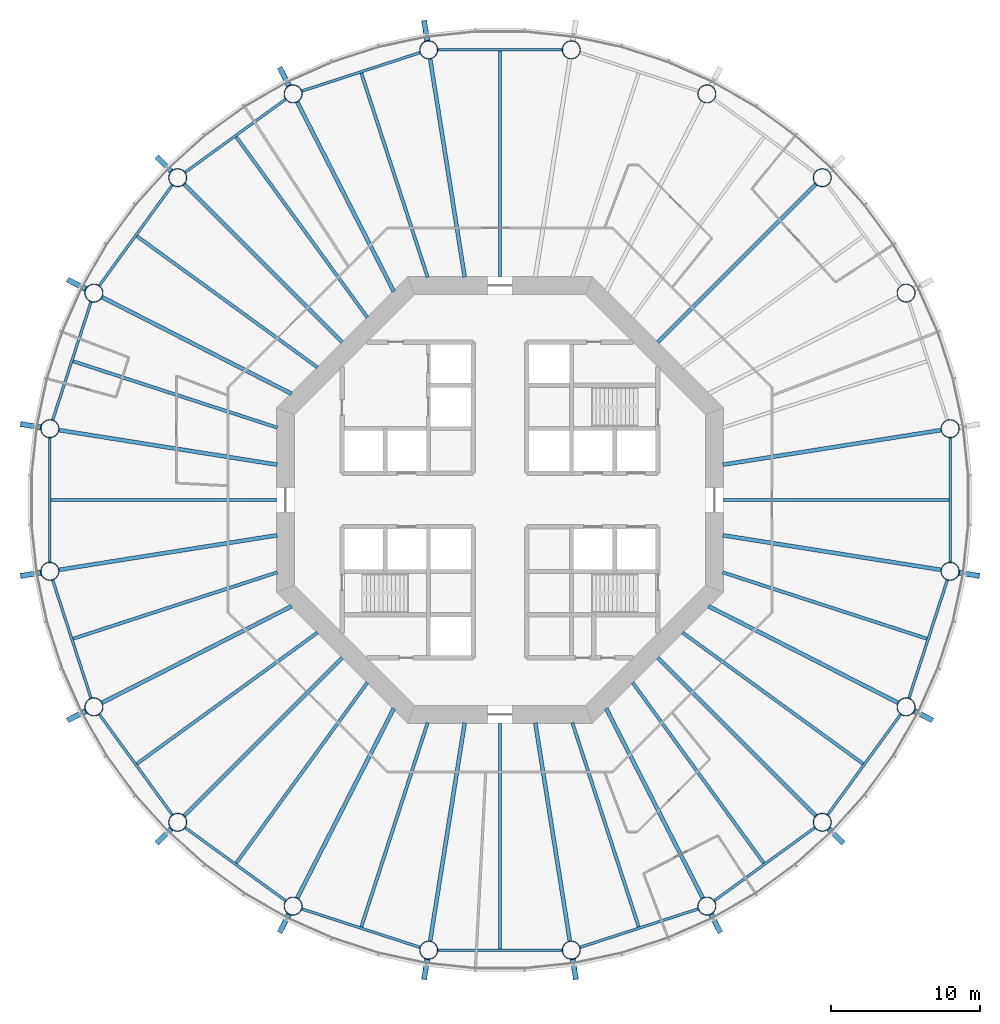
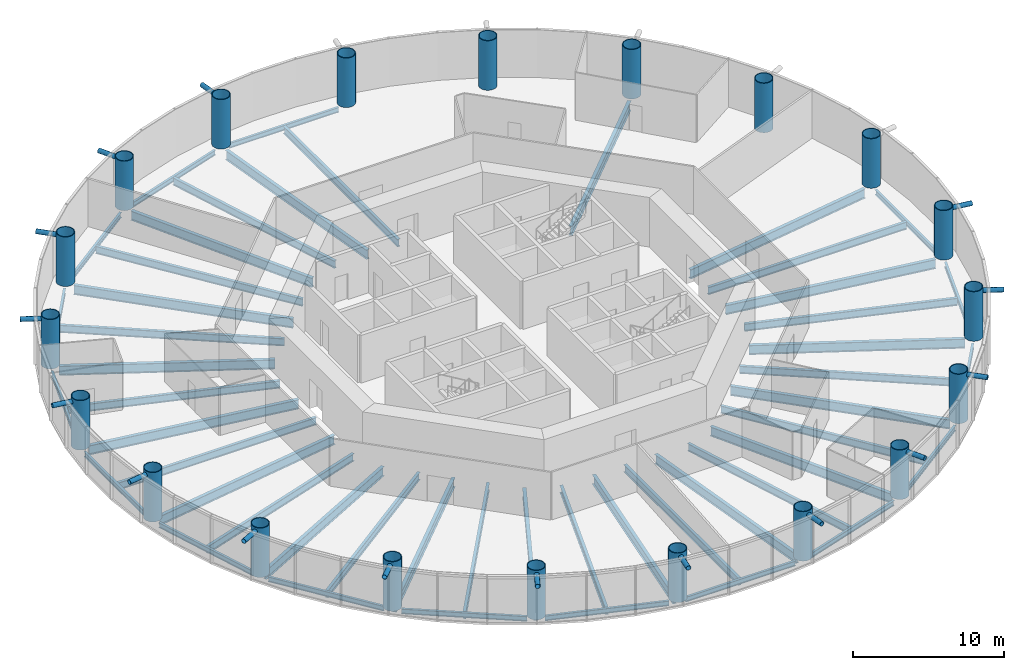
# One storey, part 1 of 12: 49 beams, 20 columns, 15 members.
"""IFC4 building model written with IfcOpenShell, lengths in metres."""

from ifc_helpers import new_model, si_unit, direction, frame, origin, origin_2d, place, context, subcontext, project, spatial, circle, hollow_circle, i_section, extrude, material, material_profile, profile_set, type_object, element, save


model = new_model("IFC4")

# Units and contexts
model_context = context("Model", 3, precision=1e-05, world=origin(), true_north=direction((0.0, 1.0)))
body_context = subcontext(model_context, "Body", "Model", "MODEL_VIEW")
ifc_project = project(units=[si_unit("LENGTHUNIT", "METRE"), si_unit("AREAUNIT", "SQUARE_METRE"), si_unit("VOLUMEUNIT", "CUBIC_METRE"), si_unit("PLANEANGLEUNIT", "RADIAN"), si_unit("MASSUNIT", "GRAM", prefix="KILO")], contexts=[model_context])

# Site, building, storey
site_placement = place(None, origin())
site = spatial("IfcSite", under=ifc_project, at=site_placement, CompositionType="ELEMENT")
building_placement = place(site_placement, origin())
building = spatial("IfcBuilding", under=site, at=building_placement, Name="Entoto Ring Tower", CompositionType="ELEMENT")
storey_placement = place(building_placement, frame((0.0, 0.0, 128.0)))
storey = spatial("IfcBuildingStorey", under=building, at=storey_placement, Name="L29", CompositionType="ELEMENT", Elevation=128.0)

# Columns
ifc_material_1 = material(Name="Steel S355", Category="steel")
ifc_material_profile_1 = material_profile(ifc_material_1, hollow_circle(Radius=0.625, WallThickness=0.054931640625, at=origin_2d()), Name="CHS 1250 x 55")
ifc_material_2 = material(Name="Concrete C60/75", Category="concrete")
ifc_material_profile_2 = material_profile(ifc_material_2, circle(Radius=0.570068359375, at=origin_2d()), Name="Concrete C60/75 infill")
ifc_profile_set_1 = profile_set([ifc_material_profile_1, ifc_material_profile_2], Name="Steel S355")
column_type = type_object("IfcColumnType", Name="Ring column 1250 x 55 concrete-filled tube", PredefinedType="COLUMN", material=ifc_profile_set_1)
for number, where, z_axis, x_axis, name in (
    (1, (120.22314453125, 84.786865234375, 0.0), (0.0, 0.0, 1.0), (1.0, 0.0, 0.0), "RC2 R01"),
    (2, (117.264892578125, 93.89208984375, 0.0), (0.0, 0.0, 1.0), (1.0, 0.0, 0.0), "RC2 R02"),
    (3, (111.637451171875, 101.637451171875, 0.0), (0.0, 0.0, 1.0), (1.0, 0.0, 0.0), "RC2 R03"),
    (4, (103.89208984375, 107.264892578125, 0.0), (0.0, 0.0, 1.0), (1.0, 0.0, 0.0), "RC2 R04"),
    (5, (94.786865234375, 110.22314453125, 0.0), (0.0, 0.0, 1.0), (1.0, 0.0, 0.0), "RC2 R05"),
    (6, (85.213134765625, 110.22314453125, 0.0), (0.0, 0.0, 1.0), (1.0, 0.0, 0.0), "RC2 R06"),
    (7, (76.10791015625, 107.264892578125, 0.0), (0.0, 0.0, 1.0), (1.0, 0.0, 0.0), "RC2 R07"),
    (8, (68.362548828125, 101.637451171875, 0.0), (0.0, 0.0, 1.0), (1.0, 0.0, 0.0), "RC2 R08"),
    (9, (62.735107421875, 93.89208984375, 0.0), (0.0, 0.0, 1.0), (1.0, 0.0, 0.0), "RC2 R09"),
    (10, (59.77685546875, 84.786865234375, 0.0), (0.0, 0.0, 1.0), (1.0, 0.0, 0.0), "RC2 R10"),
    (11, (59.77685546875, 75.213134765625, 0.0), (0.0, 0.0, 1.0), (1.0, 0.0, 0.0), "RC2 R11"),
    (12, (62.735107421875, 66.10791015625, 0.0), (0.0, 0.0, 1.0), (1.0, 0.0, 0.0), "RC2 R12"),
    (13, (68.362548828125, 58.362548828125, 0.0), (0.0, 0.0, 1.0), (1.0, 0.0, 0.0), "RC2 R13"),
    (14, (76.10791015625, 52.735107421875, 0.0), (0.0, 0.0, 1.0), (1.0, 0.0, 0.0), "RC2 R14"),
    (15, (85.213134765625, 49.77685546875, 0.0), (0.0, 0.0, 1.0), (1.0, 0.0, 0.0), "RC2 R15"),
    (16, (94.786865234375, 49.77685546875, 0.0), (0.0, 0.0, 1.0), (1.0, 0.0, 0.0), "RC2 R16"),
    (17, (103.89208984375, 52.735107421875, 0.0), (0.0, 0.0, 1.0), (1.0, 0.0, 0.0), "RC2 R17"),
    (18, (111.637451171875, 58.362548828125, 0.0), (0.0, 0.0, 1.0), (1.0, 0.0, 0.0), "RC2 R18"),
    (19, (117.264892578125, 66.10791015625, 0.0), (0.0, 0.0, 1.0), (1.0, 0.0, 0.0), "RC2 R19"),
    (20, (120.22314453125, 75.213134765625, 0.0), (0.0, 0.0, 1.0), (1.0, 0.0, 0.0), "RC2 R20"),
):
    element("IfcColumn", number, at=place(storey_placement, frame(where, z_axis=z_axis, x_axis=x_axis)), inside=storey, type_object=column_type, Name=name, PredefinedType="COLUMN", context=body_context, shape_type="SweptSolid", body=[
        extrude(hollow_circle(Radius=0.625, WallThickness=0.054931640625, at=origin_2d()), origin(), (0.0, 0.0, 1.0), 4.0),
    ])

# Members
ifc_material_3 = material(Name="Steel S355", Category="steel")
ifc_material_profile_3 = material_profile(ifc_material_3, hollow_circle(Radius=0.177734375, WallThickness=0.01611328125, at=origin_2d()), Name="CHS 355.6 x 16")
ifc_material_4 = material(Name="Concrete C60/75", Category="concrete")
ifc_material_profile_4 = material_profile(ifc_material_4, circle(Radius=0.161865234375, at=origin_2d()), Name="Concrete C60/75 infill")
ifc_profile_set_2 = profile_set([ifc_material_profile_3, ifc_material_profile_4], Name="Steel S355")
member_type = type_object("IfcMemberType", Name="Diagrid node strut 355.6 x 16", PredefinedType="STRUT", material=ifc_profile_set_2)
member_1_placement = place(storey_placement, frame((85.12255859375, 110.795166015625, 3.672119140625), z_axis=(-0.156509522646, 0.987676449715, 0.0), x_axis=(-0.987676449715, -0.156509522646, 0.0)))
element("IfcMember", 21, at=member_1_placement, inside=storey, type_object=member_type, Name="DS1 strut ring 8 06", PredefinedType="STRUT", context=body_context, shape_type="SweptSolid", body=[
    extrude(hollow_circle(Radius=0.177734375, WallThickness=0.01611328125, at=origin_2d()), origin(), (0.0, 0.0, 1.0), 1.421142578125),
])
member_2_placement = place(storey_placement, frame((75.844970703125, 107.78076171875, 3.672119140625), z_axis=(-0.45393607671, 0.891034252013, 0.0), x_axis=(-0.891034252013, -0.45393607671, 0.0)))
element("IfcMember", 22, at=member_2_placement, inside=storey, type_object=member_type, Name="DS1 strut ring 8 07", PredefinedType="STRUT", context=body_context, shape_type="SweptSolid", body=[
    extrude(hollow_circle(Radius=0.177734375, WallThickness=0.01611328125, at=origin_2d()), origin(), (0.0, 0.0, 1.0), 1.4208984375),
])
member_3_placement = place(storey_placement, frame((67.953125, 102.046875, 3.672119140625), z_axis=(-0.707106781187, 0.707106781187, 0.0), x_axis=(-0.707106781187, -0.707106781187, 0.0)))
element("IfcMember", 23, at=member_3_placement, inside=storey, type_object=member_type, Name="DS1 strut ring 8 08", PredefinedType="STRUT", context=body_context, shape_type="SweptSolid", body=[
    extrude(hollow_circle(Radius=0.177734375, WallThickness=0.01611328125, at=origin_2d()), origin(), (0.0, 0.0, 1.0), 1.421142578125),
])
member_4_placement = place(storey_placement, frame((62.21923828125, 94.155029296875, 3.672119140625), z_axis=(-0.891034252013, 0.45393607671, 0.0), x_axis=(-0.45393607671, -0.891034252013, 0.0)))
element("IfcMember", 24, at=member_4_placement, inside=storey, type_object=member_type, Name="DS1 strut ring 8 09", PredefinedType="STRUT", context=body_context, shape_type="SweptSolid", body=[
    extrude(hollow_circle(Radius=0.177734375, WallThickness=0.01611328125, at=origin_2d()), origin(), (0.0, 0.0, 1.0), 1.4208984375),
])
for number, where, z_axis, x_axis, name in (
    (25, (59.204833984375, 84.87744140625, 3.672119140625), (-0.987676449715, 0.156509522646, 0.0), (-0.156509522646, -0.987676449715, 0.0), "DS1 strut ring 8 10"),
    (26, (59.204833984375, 75.12255859375, 3.672119140625), (-0.987676449715, -0.156509522646, 0.0), (0.156509522646, -0.987676449715, 0.0), "DS1 strut ring 8 11"),
):
    element("IfcMember", number, at=place(storey_placement, frame(where, z_axis=z_axis, x_axis=x_axis)), inside=storey, type_object=member_type, Name=name, PredefinedType="STRUT", context=body_context, shape_type="SweptSolid", body=[
        extrude(hollow_circle(Radius=0.177734375, WallThickness=0.01611328125, at=origin_2d()), origin(), (0.0, 0.0, 1.0), 1.421142578125),
    ])
member_5_placement = place(storey_placement, frame((62.21923828125, 65.844970703125, 3.672119140625), z_axis=(-0.891034252013, -0.45393607671, 0.0), x_axis=(0.45393607671, -0.891034252013, 0.0)))
element("IfcMember", 27, at=member_5_placement, inside=storey, type_object=member_type, Name="DS1 strut ring 8 12", PredefinedType="STRUT", context=body_context, shape_type="SweptSolid", body=[
    extrude(hollow_circle(Radius=0.177734375, WallThickness=0.01611328125, at=origin_2d()), origin(), (0.0, 0.0, 1.0), 1.4208984375),
])
member_6_placement = place(storey_placement, frame((67.953125, 57.953125, 3.672119140625), z_axis=(-0.707106781187, -0.707106781187, 0.0), x_axis=(0.707106781187, -0.707106781187, 0.0)))
element("IfcMember", 28, at=member_6_placement, inside=storey, type_object=member_type, Name="DS1 strut ring 8 13", PredefinedType="STRUT", context=body_context, shape_type="SweptSolid", body=[
    extrude(hollow_circle(Radius=0.177734375, WallThickness=0.01611328125, at=origin_2d()), origin(), (0.0, 0.0, 1.0), 1.421142578125),
])
member_7_placement = place(storey_placement, frame((75.844970703125, 52.21923828125, 3.672119140625), z_axis=(-0.45393607671, -0.891034252013, 0.0), x_axis=(0.891034252013, -0.45393607671, 0.0)))
element("IfcMember", 29, at=member_7_placement, inside=storey, type_object=member_type, Name="DS1 strut ring 8 14", PredefinedType="STRUT", context=body_context, shape_type="SweptSolid", body=[
    extrude(hollow_circle(Radius=0.177734375, WallThickness=0.01611328125, at=origin_2d()), origin(), (0.0, 0.0, 1.0), 1.4208984375),
])
for number, where, z_axis, x_axis, name in (
    (30, (85.12255859375, 49.204833984375, 3.672119140625), (-0.156509522646, -0.987676449715, 0.0), (0.987676449715, -0.156509522646, 0.0), "DS1 strut ring 8 15"),
    (31, (94.87744140625, 49.204833984375, 3.672119140625), (0.156509522646, -0.987676449715, 0.0), (0.987676449715, 0.156509522646, 0.0), "DS1 strut ring 8 16"),
):
    element("IfcMember", number, at=place(storey_placement, frame(where, z_axis=z_axis, x_axis=x_axis)), inside=storey, type_object=member_type, Name=name, PredefinedType="STRUT", context=body_context, shape_type="SweptSolid", body=[
        extrude(hollow_circle(Radius=0.177734375, WallThickness=0.01611328125, at=origin_2d()), origin(), (0.0, 0.0, 1.0), 1.421142578125),
    ])
member_8_placement = place(storey_placement, frame((104.155029296875, 52.21923828125, 3.672119140625), z_axis=(0.45393607671, -0.891034252013, 0.0), x_axis=(0.891034252013, 0.45393607671, 0.0)))
element("IfcMember", 32, at=member_8_placement, inside=storey, type_object=member_type, Name="DS1 strut ring 8 17", PredefinedType="STRUT", context=body_context, shape_type="SweptSolid", body=[
    extrude(hollow_circle(Radius=0.177734375, WallThickness=0.01611328125, at=origin_2d()), origin(), (0.0, 0.0, 1.0), 1.4208984375),
])
member_9_placement = place(storey_placement, frame((112.046875, 57.953125, 3.672119140625), z_axis=(0.707106781187, -0.707106781187, 0.0), x_axis=(0.707106781187, 0.707106781187, 0.0)))
element("IfcMember", 33, at=member_9_placement, inside=storey, type_object=member_type, Name="DS1 strut ring 8 18", PredefinedType="STRUT", context=body_context, shape_type="SweptSolid", body=[
    extrude(hollow_circle(Radius=0.177734375, WallThickness=0.01611328125, at=origin_2d()), origin(), (0.0, 0.0, 1.0), 1.421142578125),
])
member_10_placement = place(storey_placement, frame((117.78076171875, 65.844970703125, 3.672119140625), z_axis=(0.891034252013, -0.45393607671, 0.0), x_axis=(0.45393607671, 0.891034252013, 0.0)))
element("IfcMember", 34, at=member_10_placement, inside=storey, type_object=member_type, Name="DS1 strut ring 8 19", PredefinedType="STRUT", context=body_context, shape_type="SweptSolid", body=[
    extrude(hollow_circle(Radius=0.177734375, WallThickness=0.01611328125, at=origin_2d()), origin(), (0.0, 0.0, 1.0), 1.4208984375),
])
member_11_placement = place(storey_placement, frame((120.795166015625, 75.12255859375, 3.672119140625), z_axis=(0.987676449715, -0.156509522646, 0.0), x_axis=(0.156509522646, 0.987676449715, 0.0)))
element("IfcMember", 35, at=member_11_placement, inside=storey, type_object=member_type, Name="DS1 strut ring 8 20", PredefinedType="STRUT", context=body_context, shape_type="SweptSolid", body=[
    extrude(hollow_circle(Radius=0.177734375, WallThickness=0.01611328125, at=origin_2d()), origin(), (0.0, 0.0, 1.0), 1.421142578125),
])

# Beams
ifc_material_5 = material(Name="Steel S355", Category="steel")
ifc_material_profile_5 = material_profile(ifc_material_5, i_section(OverallWidth=0.179931640625, OverallDepth=0.39990234375, WebThickness=0.008544921875, FlangeThickness=0.013427734375, FilletRadius=0.02099609375, at=origin_2d()), Name="IPE 400")
ifc_profile_set_3 = profile_set([ifc_material_profile_5], Name="Steel S355")
beam_type_1 = type_object("IfcBeamType", Name="Edge beam IPE 400", PredefinedType="SPANDREL", material=ifc_profile_set_3)
for number, where, z_axis, x_axis, name in (
    (36, (94.1884765625, 110.22314453125, -0.35009765625), (-1.0, 0.0, 0.0), (0.0, -1.0, 0.0), "Edge beam L29 05"),
    (37, (84.64404296875, 110.038330078125, -0.35009765625), (-0.951057410904, -0.309014241039, 0.0), (0.309014241039, -0.951057410904, 0.0), "Edge beam L29 06"),
    (38, (75.623779296875, 106.9130859375, -0.35009765625), (-0.8090182976, -0.587783458554, 0.0), (0.587783458554, -0.8090182976, 0.0), "Edge beam L29 07"),
    (39, (68.0107421875, 101.1533203125, -0.35009765625), (-0.587783458554, -0.8090182976, 0.0), (0.8090182976, -0.587783458554, 0.0), "Edge beam L29 08"),
    (40, (62.55029296875, 93.322998046875, -0.35009765625), (-0.309014241039, -0.951057410904, 0.0), (0.951057410904, -0.309014241039, 0.0), "Edge beam L29 09"),
    (41, (59.77685546875, 84.1884765625, -0.35009765625), (0.0, -1.0, 0.0), (1.0, 0.0, 0.0), "Edge beam L29 10"),
    (42, (59.961669921875, 74.64404296875, -0.35009765625), (0.309014241039, -0.951057410904, 0.0), (0.951057410904, 0.309014241039, 0.0), "Edge beam L29 11"),
    (43, (63.0869140625, 65.623779296875, -0.35009765625), (0.587783458554, -0.8090182976, 0.0), (0.8090182976, 0.587783458554, 0.0), "Edge beam L29 12"),
    (44, (68.8466796875, 58.0107421875, -0.35009765625), (0.8090182976, -0.587783458554, 0.0), (0.587783458554, 0.8090182976, 0.0), "Edge beam L29 13"),
    (45, (76.677001953125, 52.55029296875, -0.35009765625), (0.951057410904, -0.309014241039, 0.0), (0.309014241039, 0.951057410904, 0.0), "Edge beam L29 14"),
    (46, (85.8115234375, 49.77685546875, -0.35009765625), (1.0, 0.0, 0.0), (0.0, 1.0, 0.0), "Edge beam L29 15"),
    (47, (95.35595703125, 49.961669921875, -0.35009765625), (0.951057410904, 0.309014241039, 0.0), (-0.309014241039, 0.951057410904, 0.0), "Edge beam L29 16"),
    (48, (104.376220703125, 53.0869140625, -0.35009765625), (0.8090182976, 0.587783458554, 0.0), (-0.587783458554, 0.8090182976, 0.0), "Edge beam L29 17"),
    (49, (111.9892578125, 58.8466796875, -0.35009765625), (0.587783458554, 0.8090182976, 0.0), (-0.8090182976, 0.587783458554, 0.0), "Edge beam L29 18"),
    (50, (117.44970703125, 66.677001953125, -0.35009765625), (0.309014241039, 0.951057410904, 0.0), (-0.951057410904, 0.309014241039, 0.0), "Edge beam L29 19"),
    (51, (120.22314453125, 75.8115234375, -0.35009765625), (0.0, 1.0, 0.0), (-1.0, 0.0, 0.0), "Edge beam L29 20"),
):
    element("IfcBeam", number, at=place(storey_placement, frame(where, z_axis=z_axis, x_axis=x_axis)), inside=storey, type_object=beam_type_1, Name=name, PredefinedType="SPANDREL", context=body_context, shape_type="SweptSolid", body=[
        extrude(i_section(OverallWidth=0.179931640625, OverallDepth=0.39990234375, WebThickness=0.008544921875, FlangeThickness=0.013427734375, FilletRadius=0.02099609375, at=origin_2d()), origin(), (0.0, 0.0, 1.0), 8.376953125),
    ])
ifc_material_6 = material(Name="Steel S355", Category="steel")
ifc_material_profile_6 = material_profile(ifc_material_6, i_section(OverallWidth=0.262939453125, OverallDepth=0.7529296875, WebThickness=0.011474609375, FlangeThickness=0.01708984375, FilletRadius=0.01708984375, at=origin_2d()), Name="IPE 750 x 137")
ifc_profile_set_4 = profile_set([ifc_material_profile_6], Name="Steel S355")
beam_type_2 = type_object("IfcBeamType", Name="Primary floor beam IPE 750 x 137", PredefinedType="BEAM", material=ifc_profile_set_4)
beam_1_placement = place(storey_placement, frame((104.959716796875, 82.369384765625, -0.526611328125), z_axis=(0.98768960451, 0.156426484787, 0.0), x_axis=(-0.156426484787, 0.98768960451, 0.0)))
element("IfcBeam", 52, at=beam_1_placement, inside=storey, type_object=beam_type_2, Name="Primary L29 R01", PredefinedType="BEAM", context=body_context, shape_type="SweptSolid", body=[
    extrude(i_section(OverallWidth=0.262939453125, OverallDepth=0.7529296875, WebThickness=0.011474609375, FlangeThickness=0.01708984375, FilletRadius=0.01708984375, at=origin_2d()), origin(), (0.0, 0.0, 1.0), 14.86279296875),
])
beam_2_placement = place(storey_placement, frame((100.592529296875, 90.592529296875, -0.526611328125), z_axis=(0.707106781187, 0.707106781187, 0.0), x_axis=(-0.707106781187, 0.707106781187, 0.0)))
element("IfcBeam", 53, at=beam_2_placement, inside=storey, type_object=beam_type_2, Name="Primary L29 R03", PredefinedType="BEAM", context=body_context, shape_type="SweptSolid", body=[
    extrude(i_section(OverallWidth=0.262939453125, OverallDepth=0.7529296875, WebThickness=0.011474609375, FlangeThickness=0.01708984375, FilletRadius=0.01708984375, at=origin_2d()), origin(), (0.0, 0.0, 1.0), 15.029052734375),
])
beam_3_placement = place(storey_placement, frame((87.630615234375, 94.959716796875, -0.526611328125), z_axis=(-0.156426484787, 0.98768960451, 0.0), x_axis=(-0.98768960451, -0.156426484787, 0.0)))
element("IfcBeam", 54, at=beam_3_placement, inside=storey, type_object=beam_type_2, Name="Primary L29 R06", PredefinedType="BEAM", context=body_context, shape_type="SweptSolid", body=[
    extrude(i_section(OverallWidth=0.262939453125, OverallDepth=0.7529296875, WebThickness=0.011474609375, FlangeThickness=0.01708984375, FilletRadius=0.01708984375, at=origin_2d()), origin(), (0.0, 0.0, 1.0), 14.86279296875),
])
beam_4_placement = place(storey_placement, frame((82.8681640625, 93.9970703125, -0.526611328125), z_axis=(-0.453988952421, 0.891007312585, 0.0), x_axis=(-0.891007312585, -0.453988952421, 0.0)))
element("IfcBeam", 55, at=beam_4_placement, inside=storey, type_object=beam_type_2, Name="Primary L29 R07", PredefinedType="BEAM", context=body_context, shape_type="SweptSolid", body=[
    extrude(i_section(OverallWidth=0.262939453125, OverallDepth=0.7529296875, WebThickness=0.011474609375, FlangeThickness=0.01708984375, FilletRadius=0.01708984375, at=origin_2d()), origin(), (0.0, 0.0, 1.0), 14.2998046875),
])
beam_5_placement = place(storey_placement, frame((79.407470703125, 90.592529296875, -0.526611328125), z_axis=(-0.707106781187, 0.707106781187, 0.0), x_axis=(-0.707106781187, -0.707106781187, 0.0)))
element("IfcBeam", 56, at=beam_5_placement, inside=storey, type_object=beam_type_2, Name="Primary L29 R08", PredefinedType="BEAM", context=body_context, shape_type="SweptSolid", body=[
    extrude(i_section(OverallWidth=0.262939453125, OverallDepth=0.7529296875, WebThickness=0.011474609375, FlangeThickness=0.01708984375, FilletRadius=0.01708984375, at=origin_2d()), origin(), (0.0, 0.0, 1.0), 15.029052734375),
])
beam_6_placement = place(storey_placement, frame((76.0029296875, 87.1318359375, -0.526611328125), z_axis=(-0.891007312585, 0.453988952421, 0.0), x_axis=(-0.453988952421, -0.891007312585, 0.0)))
element("IfcBeam", 57, at=beam_6_placement, inside=storey, type_object=beam_type_2, Name="Primary L29 R09", PredefinedType="BEAM", context=body_context, shape_type="SweptSolid", body=[
    extrude(i_section(OverallWidth=0.262939453125, OverallDepth=0.7529296875, WebThickness=0.011474609375, FlangeThickness=0.01708984375, FilletRadius=0.01708984375, at=origin_2d()), origin(), (0.0, 0.0, 1.0), 14.2998046875),
])
for number, where, z_axis, x_axis, name in (
    (58, (75.040283203125, 82.369384765625, -0.526611328125), (-0.98768960451, 0.156426484787, 0.0), (-0.156426484787, -0.98768960451, 0.0), "Primary L29 R10"),
    (59, (75.040283203125, 77.630615234375, -0.526611328125), (-0.98768960451, -0.156426484787, 0.0), (0.156426484787, -0.98768960451, 0.0), "Primary L29 R11"),
):
    element("IfcBeam", number, at=place(storey_placement, frame(where, z_axis=z_axis, x_axis=x_axis)), inside=storey, type_object=beam_type_2, Name=name, PredefinedType="BEAM", context=body_context, shape_type="SweptSolid", body=[
        extrude(i_section(OverallWidth=0.262939453125, OverallDepth=0.7529296875, WebThickness=0.011474609375, FlangeThickness=0.01708984375, FilletRadius=0.01708984375, at=origin_2d()), origin(), (0.0, 0.0, 1.0), 14.86279296875),
    ])
beam_7_placement = place(storey_placement, frame((76.0029296875, 72.8681640625, -0.526611328125), z_axis=(-0.891007312585, -0.453988952421, 0.0), x_axis=(0.453988952421, -0.891007312585, 0.0)))
element("IfcBeam", 60, at=beam_7_placement, inside=storey, type_object=beam_type_2, Name="Primary L29 R12", PredefinedType="BEAM", context=body_context, shape_type="SweptSolid", body=[
    extrude(i_section(OverallWidth=0.262939453125, OverallDepth=0.7529296875, WebThickness=0.011474609375, FlangeThickness=0.01708984375, FilletRadius=0.01708984375, at=origin_2d()), origin(), (0.0, 0.0, 1.0), 14.2998046875),
])
beam_8_placement = place(storey_placement, frame((79.407470703125, 69.407470703125, -0.526611328125), z_axis=(-0.707106781187, -0.707106781187, 0.0), x_axis=(0.707106781187, -0.707106781187, 0.0)))
element("IfcBeam", 61, at=beam_8_placement, inside=storey, type_object=beam_type_2, Name="Primary L29 R13", PredefinedType="BEAM", context=body_context, shape_type="SweptSolid", body=[
    extrude(i_section(OverallWidth=0.262939453125, OverallDepth=0.7529296875, WebThickness=0.011474609375, FlangeThickness=0.01708984375, FilletRadius=0.01708984375, at=origin_2d()), origin(), (0.0, 0.0, 1.0), 15.029052734375),
])
beam_9_placement = place(storey_placement, frame((82.8681640625, 66.0029296875, -0.526611328125), z_axis=(-0.453988952421, -0.891007312585, 0.0), x_axis=(0.891007312585, -0.453988952421, 0.0)))
element("IfcBeam", 62, at=beam_9_placement, inside=storey, type_object=beam_type_2, Name="Primary L29 R14", PredefinedType="BEAM", context=body_context, shape_type="SweptSolid", body=[
    extrude(i_section(OverallWidth=0.262939453125, OverallDepth=0.7529296875, WebThickness=0.011474609375, FlangeThickness=0.01708984375, FilletRadius=0.01708984375, at=origin_2d()), origin(), (0.0, 0.0, 1.0), 14.2998046875),
])
for number, where, z_axis, x_axis, name in (
    (63, (87.630615234375, 65.040283203125, -0.526611328125), (-0.156426484787, -0.98768960451, 0.0), (0.98768960451, -0.156426484787, 0.0), "Primary L29 R15"),
    (64, (92.369384765625, 65.040283203125, -0.526611328125), (0.156426484787, -0.98768960451, 0.0), (0.98768960451, 0.156426484787, 0.0), "Primary L29 R16"),
):
    element("IfcBeam", number, at=place(storey_placement, frame(where, z_axis=z_axis, x_axis=x_axis)), inside=storey, type_object=beam_type_2, Name=name, PredefinedType="BEAM", context=body_context, shape_type="SweptSolid", body=[
        extrude(i_section(OverallWidth=0.262939453125, OverallDepth=0.7529296875, WebThickness=0.011474609375, FlangeThickness=0.01708984375, FilletRadius=0.01708984375, at=origin_2d()), origin(), (0.0, 0.0, 1.0), 14.86279296875),
    ])
beam_10_placement = place(storey_placement, frame((97.1318359375, 66.0029296875, -0.526611328125), z_axis=(0.453988952421, -0.891007312585, 0.0), x_axis=(0.891007312585, 0.453988952421, 0.0)))
element("IfcBeam", 65, at=beam_10_placement, inside=storey, type_object=beam_type_2, Name="Primary L29 R17", PredefinedType="BEAM", context=body_context, shape_type="SweptSolid", body=[
    extrude(i_section(OverallWidth=0.262939453125, OverallDepth=0.7529296875, WebThickness=0.011474609375, FlangeThickness=0.01708984375, FilletRadius=0.01708984375, at=origin_2d()), origin(), (0.0, 0.0, 1.0), 14.2998046875),
])
beam_11_placement = place(storey_placement, frame((100.592529296875, 69.407470703125, -0.526611328125), z_axis=(0.707106781187, -0.707106781187, 0.0), x_axis=(0.707106781187, 0.707106781187, 0.0)))
element("IfcBeam", 66, at=beam_11_placement, inside=storey, type_object=beam_type_2, Name="Primary L29 R18", PredefinedType="BEAM", context=body_context, shape_type="SweptSolid", body=[
    extrude(i_section(OverallWidth=0.262939453125, OverallDepth=0.7529296875, WebThickness=0.011474609375, FlangeThickness=0.01708984375, FilletRadius=0.01708984375, at=origin_2d()), origin(), (0.0, 0.0, 1.0), 15.029052734375),
])
beam_12_placement = place(storey_placement, frame((103.9970703125, 72.8681640625, -0.526611328125), z_axis=(0.891007312585, -0.453988952421, 0.0), x_axis=(0.453988952421, 0.891007312585, 0.0)))
element("IfcBeam", 67, at=beam_12_placement, inside=storey, type_object=beam_type_2, Name="Primary L29 R19", PredefinedType="BEAM", context=body_context, shape_type="SweptSolid", body=[
    extrude(i_section(OverallWidth=0.262939453125, OverallDepth=0.7529296875, WebThickness=0.011474609375, FlangeThickness=0.01708984375, FilletRadius=0.01708984375, at=origin_2d()), origin(), (0.0, 0.0, 1.0), 14.2998046875),
])
beam_13_placement = place(storey_placement, frame((104.959716796875, 77.630615234375, -0.526611328125), z_axis=(0.98768960451, -0.156426484787, 0.0), x_axis=(0.156426484787, 0.98768960451, 0.0)))
element("IfcBeam", 68, at=beam_13_placement, inside=storey, type_object=beam_type_2, Name="Primary L29 R20", PredefinedType="BEAM", context=body_context, shape_type="SweptSolid", body=[
    extrude(i_section(OverallWidth=0.262939453125, OverallDepth=0.7529296875, WebThickness=0.011474609375, FlangeThickness=0.01708984375, FilletRadius=0.01708984375, at=origin_2d()), origin(), (0.0, 0.0, 1.0), 14.86279296875),
])
ifc_material_7 = material(Name="Steel S355", Category="steel")
ifc_material_profile_7 = material_profile(ifc_material_7, i_section(OverallWidth=0.219970703125, OverallDepth=0.60009765625, WebThickness=0.011962890625, FlangeThickness=0.01904296875, FilletRadius=0.02392578125, at=origin_2d()), Name="IPE 600")
ifc_profile_set_5 = profile_set([ifc_material_profile_7], Name="Steel S355")
beam_type_3 = type_object("IfcBeamType", Name="Secondary floor beam IPE 600", PredefinedType="JOIST", material=ifc_profile_set_5)
beam_14_placement = place(storey_placement, frame((90.0, 94.97998046875, -0.449951171875), z_axis=(0.0, 1.0, 0.0), x_axis=(-1.0, 0.0, 0.0)))
element("IfcBeam", 69, at=beam_14_placement, inside=storey, type_object=beam_type_3, Name="Secondary beam L29 05", PredefinedType="JOIST", context=body_context, shape_type="SweptSolid", body=[
    extrude(i_section(OverallWidth=0.219970703125, OverallDepth=0.60009765625, WebThickness=0.011962890625, FlangeThickness=0.01904296875, FilletRadius=0.02392578125, at=origin_2d()), origin(), (0.0, 0.0, 1.0), 15.1533203125),
])
beam_15_placement = place(storey_placement, frame((85.143310546875, 94.947021484375, -0.449951171875), z_axis=(-0.309014850288, 0.951057212949, 0.0), x_axis=(-0.951057212949, -0.309014850288, 0.0)))
element("IfcBeam", 70, at=beam_15_placement, inside=storey, type_object=beam_type_3, Name="Secondary beam L29 06", PredefinedType="JOIST", context=body_context, shape_type="SweptSolid", body=[
    extrude(i_section(OverallWidth=0.219970703125, OverallDepth=0.60009765625, WebThickness=0.011962890625, FlangeThickness=0.01904296875, FilletRadius=0.02392578125, at=origin_2d()), origin(), (0.0, 0.0, 1.0), 14.4169921875),
])
for number, where, z_axis, x_axis, name in (
    (71, (81.09521484375, 92.25634765625, -0.449951171875), (-0.587782163866, 0.809019238239, 0.0), (-0.809019238239, -0.587782163866, 0.0), "Secondary beam L29 07"),
    (72, (77.74365234375, 88.90478515625, -0.449951171875), (-0.809019238239, 0.587782163866, 0.0), (-0.587782163866, -0.809019238239, 0.0), "Secondary beam L29 08"),
):
    element("IfcBeam", number, at=place(storey_placement, frame(where, z_axis=z_axis, x_axis=x_axis)), inside=storey, type_object=beam_type_3, Name=name, PredefinedType="JOIST", context=body_context, shape_type="SweptSolid", body=[
        extrude(i_section(OverallWidth=0.219970703125, OverallDepth=0.60009765625, WebThickness=0.011962890625, FlangeThickness=0.01904296875, FilletRadius=0.02392578125, at=origin_2d()), origin(), (0.0, 0.0, 1.0), 14.983642578125),
    ])
beam_16_placement = place(storey_placement, frame((75.052978515625, 84.856689453125, -0.449951171875), z_axis=(-0.951057212949, 0.309014850288, 0.0), x_axis=(-0.309014850288, -0.951057212949, 0.0)))
element("IfcBeam", 73, at=beam_16_placement, inside=storey, type_object=beam_type_3, Name="Secondary beam L29 09", PredefinedType="JOIST", context=body_context, shape_type="SweptSolid", body=[
    extrude(i_section(OverallWidth=0.219970703125, OverallDepth=0.60009765625, WebThickness=0.011962890625, FlangeThickness=0.01904296875, FilletRadius=0.02392578125, at=origin_2d()), origin(), (0.0, 0.0, 1.0), 14.4169921875),
])
beam_17_placement = place(storey_placement, frame((75.02001953125, 80.0, -0.449951171875), z_axis=(-1.0, 0.0, 0.0), x_axis=(0.0, -1.0, 0.0)))
element("IfcBeam", 74, at=beam_17_placement, inside=storey, type_object=beam_type_3, Name="Secondary beam L29 10", PredefinedType="JOIST", context=body_context, shape_type="SweptSolid", body=[
    extrude(i_section(OverallWidth=0.219970703125, OverallDepth=0.60009765625, WebThickness=0.011962890625, FlangeThickness=0.01904296875, FilletRadius=0.02392578125, at=origin_2d()), origin(), (0.0, 0.0, 1.0), 15.1533203125),
])
beam_18_placement = place(storey_placement, frame((75.052978515625, 75.143310546875, -0.449951171875), z_axis=(-0.951057212949, -0.309014850288, 0.0), x_axis=(0.309014850288, -0.951057212949, 0.0)))
element("IfcBeam", 75, at=beam_18_placement, inside=storey, type_object=beam_type_3, Name="Secondary beam L29 11", PredefinedType="JOIST", context=body_context, shape_type="SweptSolid", body=[
    extrude(i_section(OverallWidth=0.219970703125, OverallDepth=0.60009765625, WebThickness=0.011962890625, FlangeThickness=0.01904296875, FilletRadius=0.02392578125, at=origin_2d()), origin(), (0.0, 0.0, 1.0), 14.4169921875),
])
for number, where, z_axis, x_axis, name in (
    (76, (77.74365234375, 71.09521484375, -0.449951171875), (-0.809019238239, -0.587782163866, 0.0), (0.587782163866, -0.809019238239, 0.0), "Secondary beam L29 12"),
    (77, (81.09521484375, 67.74365234375, -0.449951171875), (-0.587782163866, -0.809019238239, 0.0), (0.809019238239, -0.587782163866, 0.0), "Secondary beam L29 13"),
):
    element("IfcBeam", number, at=place(storey_placement, frame(where, z_axis=z_axis, x_axis=x_axis)), inside=storey, type_object=beam_type_3, Name=name, PredefinedType="JOIST", context=body_context, shape_type="SweptSolid", body=[
        extrude(i_section(OverallWidth=0.219970703125, OverallDepth=0.60009765625, WebThickness=0.011962890625, FlangeThickness=0.01904296875, FilletRadius=0.02392578125, at=origin_2d()), origin(), (0.0, 0.0, 1.0), 14.983642578125),
    ])
beam_19_placement = place(storey_placement, frame((85.143310546875, 65.052978515625, -0.449951171875), z_axis=(-0.309014850288, -0.951057212949, 0.0), x_axis=(0.951057212949, -0.309014850288, 0.0)))
element("IfcBeam", 78, at=beam_19_placement, inside=storey, type_object=beam_type_3, Name="Secondary beam L29 14", PredefinedType="JOIST", context=body_context, shape_type="SweptSolid", body=[
    extrude(i_section(OverallWidth=0.219970703125, OverallDepth=0.60009765625, WebThickness=0.011962890625, FlangeThickness=0.01904296875, FilletRadius=0.02392578125, at=origin_2d()), origin(), (0.0, 0.0, 1.0), 14.4169921875),
])
beam_20_placement = place(storey_placement, frame((90.0, 65.02001953125, -0.449951171875), z_axis=(0.0, -1.0, 0.0), x_axis=(1.0, 0.0, 0.0)))
element("IfcBeam", 79, at=beam_20_placement, inside=storey, type_object=beam_type_3, Name="Secondary beam L29 15", PredefinedType="JOIST", context=body_context, shape_type="SweptSolid", body=[
    extrude(i_section(OverallWidth=0.219970703125, OverallDepth=0.60009765625, WebThickness=0.011962890625, FlangeThickness=0.01904296875, FilletRadius=0.02392578125, at=origin_2d()), origin(), (0.0, 0.0, 1.0), 15.1533203125),
])
beam_21_placement = place(storey_placement, frame((94.856689453125, 65.052978515625, -0.449951171875), z_axis=(0.309014850288, -0.951057212949, 0.0), x_axis=(0.951057212949, 0.309014850288, 0.0)))
element("IfcBeam", 80, at=beam_21_placement, inside=storey, type_object=beam_type_3, Name="Secondary beam L29 16", PredefinedType="JOIST", context=body_context, shape_type="SweptSolid", body=[
    extrude(i_section(OverallWidth=0.219970703125, OverallDepth=0.60009765625, WebThickness=0.011962890625, FlangeThickness=0.01904296875, FilletRadius=0.02392578125, at=origin_2d()), origin(), (0.0, 0.0, 1.0), 14.4169921875),
])
for number, where, z_axis, x_axis, name in (
    (81, (98.90478515625, 67.74365234375, -0.449951171875), (0.587782163866, -0.809019238239, 0.0), (0.809019238239, 0.587782163866, 0.0), "Secondary beam L29 17"),
    (82, (102.25634765625, 71.09521484375, -0.449951171875), (0.809019238239, -0.587782163866, 0.0), (0.587782163866, 0.809019238239, 0.0), "Secondary beam L29 18"),
):
    element("IfcBeam", number, at=place(storey_placement, frame(where, z_axis=z_axis, x_axis=x_axis)), inside=storey, type_object=beam_type_3, Name=name, PredefinedType="JOIST", context=body_context, shape_type="SweptSolid", body=[
        extrude(i_section(OverallWidth=0.219970703125, OverallDepth=0.60009765625, WebThickness=0.011962890625, FlangeThickness=0.01904296875, FilletRadius=0.02392578125, at=origin_2d()), origin(), (0.0, 0.0, 1.0), 14.983642578125),
    ])
beam_22_placement = place(storey_placement, frame((104.947021484375, 75.143310546875, -0.449951171875), z_axis=(0.951057212949, -0.309014850288, 0.0), x_axis=(0.309014850288, 0.951057212949, 0.0)))
element("IfcBeam", 83, at=beam_22_placement, inside=storey, type_object=beam_type_3, Name="Secondary beam L29 19", PredefinedType="JOIST", context=body_context, shape_type="SweptSolid", body=[
    extrude(i_section(OverallWidth=0.219970703125, OverallDepth=0.60009765625, WebThickness=0.011962890625, FlangeThickness=0.01904296875, FilletRadius=0.02392578125, at=origin_2d()), origin(), (0.0, 0.0, 1.0), 14.4169921875),
])
beam_23_placement = place(storey_placement, frame((104.97998046875, 80.0, -0.449951171875), z_axis=(1.0, 0.0, 0.0), x_axis=(0.0, 1.0, 0.0)))
element("IfcBeam", 84, at=beam_23_placement, inside=storey, type_object=beam_type_3, Name="Secondary beam L29 20", PredefinedType="JOIST", context=body_context, shape_type="SweptSolid", body=[
    extrude(i_section(OverallWidth=0.219970703125, OverallDepth=0.60009765625, WebThickness=0.011962890625, FlangeThickness=0.01904296875, FilletRadius=0.02392578125, at=origin_2d()), origin(), (0.0, 0.0, 1.0), 15.1533203125),
])

save(model, "model.ifc")
